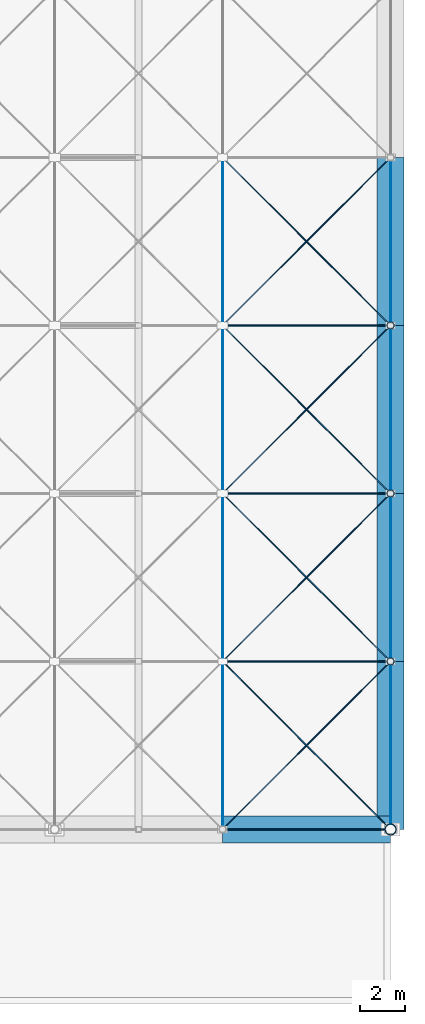
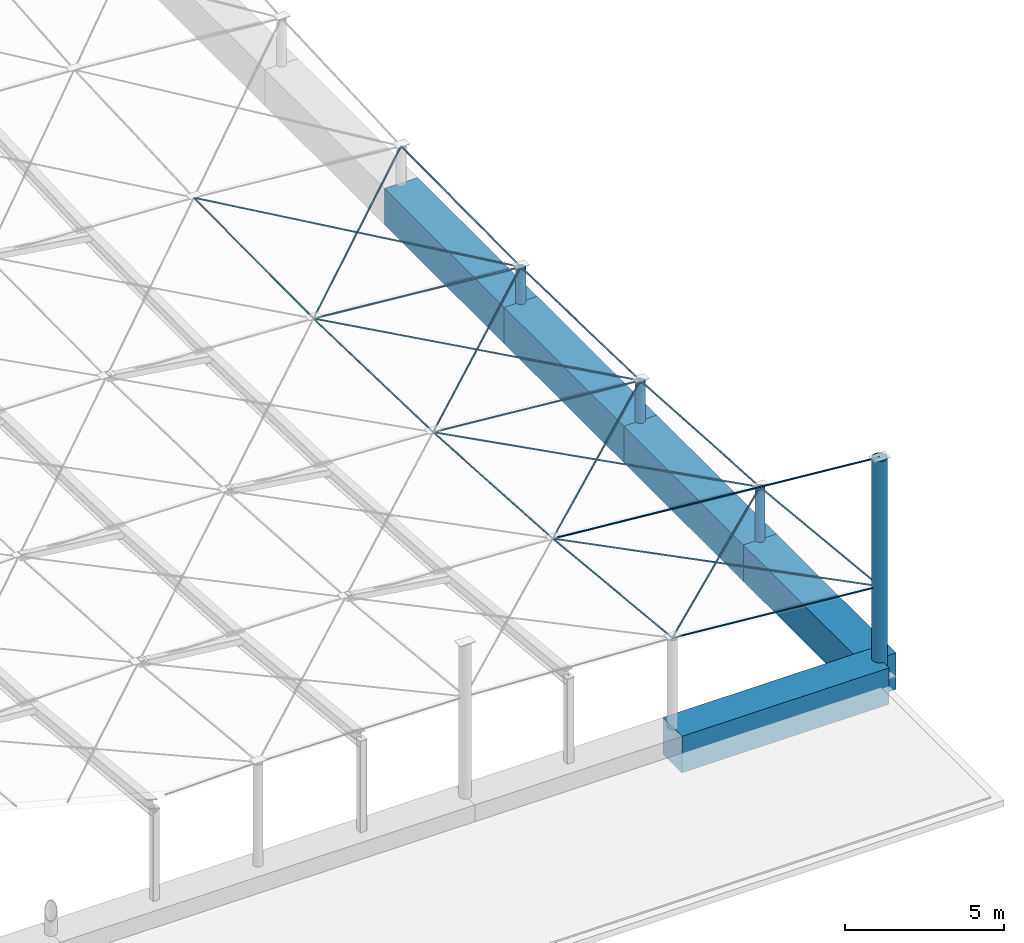
# One storey, part 6 of 17: 25 members, 5 beams.
"""IFC4 building model written with IfcOpenShell, lengths in metres."""

from ifc_helpers import new_model, si_unit, direction, frame, origin, origin_2d, place, context, subcontext, project, spatial, rectangle, circle, hollow_circle, extrude, material, material_profile, profile_set, type_object, element, save


model = new_model("IFC4")

# Units and contexts
model_context = context("Model", 3, precision=1e-05, world=origin(), true_north=direction((0.0, 1.0)))
body_context = subcontext(model_context, "Body", "Model", "MODEL_VIEW")
ifc_project = project(units=[si_unit("LENGTHUNIT", "METRE"), si_unit("AREAUNIT", "SQUARE_METRE"), si_unit("VOLUMEUNIT", "CUBIC_METRE"), si_unit("PLANEANGLEUNIT", "RADIAN"), si_unit("MASSUNIT", "GRAM", prefix="KILO")], contexts=[model_context])

# Site, building, storey
site_placement = place(None, origin())
site = spatial("IfcSite", under=ifc_project, at=site_placement, CompositionType="ELEMENT")
building_placement = place(site_placement, origin())
building = spatial("IfcBuilding", under=site, at=building_placement, Name="Qasida Concert Hall", CompositionType="ELEMENT")
storey_placement = place(building_placement, frame((0.0, 0.0, 25.199951171875)))
storey = spatial("IfcBuildingStorey", under=building, at=storey_placement, Name="RF", CompositionType="ELEMENT", Elevation=25.199951171875)

# Beams
ifc_material_1 = material(Name="Concrete C50/60", Category="concrete")
ifc_material_profile_1 = material_profile(ifc_material_1, rectangle(XDim=1.199951171875, YDim=1.39990234375, at=origin_2d()), Name="RC 1200x1400")
ifc_profile_set_1 = profile_set([ifc_material_profile_1], Name="Concrete C50/60")
beam_type = type_object("IfcBeamType", Name="BM-RB1", PredefinedType="USERDEFINED", material=ifc_profile_set_1)
for number, where, z_axis, x_axis, name in (
    (1, (97.5, 22.5, 0.0), (1.0, 0.0, 0.0), (0.0, 1.0, 0.0), "Ring beam RB-005"),
    (2, (105.0, 22.5, 0.0), (0.0, 1.0, 0.0), (-1.0, 0.0, 0.0), "Ring beam RB-021"),
    (3, (105.0, 30.0, 0.0), (0.0, 1.0, 0.0), (-1.0, 0.0, 0.0), "Ring beam RB-022"),
    (4, (105.0, 37.5, 0.0), (0.0, 1.0, 0.0), (-1.0, 0.0, 0.0), "Ring beam RB-023"),
    (5, (105.0, 45.0, 0.0), (0.0, 1.0, 0.0), (-1.0, 0.0, 0.0), "Ring beam RB-024"),
):
    element("IfcBeam", number, at=place(storey_placement, frame(where, z_axis=z_axis, x_axis=x_axis)), inside=storey, type_object=beam_type, Name=name, ObjectType="GIRDER", PredefinedType="USERDEFINED", context=body_context, shape_type="SweptSolid", body=[
        extrude(rectangle(XDim=1.199951171875, YDim=1.39990234375, at=origin_2d()), origin(), (0.0, 0.0, 1.0), 7.5),
    ])

# Members
ifc_material_2 = material(Name="Steel S460N spiral strand EN 12385", Category="steel")
ifc_material_profile_2 = material_profile(ifc_material_2, circle(Radius=0.031982421875, at=origin_2d()), Name="STRAND D64")
ifc_profile_set_2 = profile_set([ifc_material_profile_2], Name="Steel S460N spiral strand EN 12385")
member_type_1 = type_object("IfcMemberType", Name="MB-CC1", PredefinedType="USERDEFINED", material=ifc_profile_set_2)
member_1_placement = place(storey_placement, frame((97.5, 22.5, 4.111083984375), z_axis=(0.996252625766, 0.0, -0.086491072686), x_axis=(0.0, 1.0, 0.0)))
element("IfcMember", 6, at=member_1_placement, inside=storey, type_object=member_type_1, Name="Roof cable CC-007", ObjectType="TENSION_CABLE", PredefinedType="USERDEFINED", context=body_context, shape_type="SweptSolid", body=[
    extrude(circle(Radius=0.031982421875, at=origin_2d()), origin(), (0.0, 0.0, 1.0), 7.5283203125),
])
member_2_placement = place(storey_placement, frame((97.5, 37.5, 2.885986328125), z_axis=(0.996255419657, 0.0, -0.086458885052), x_axis=(0.0, 1.0, 0.0)))
element("IfcMember", 7, at=member_2_placement, inside=storey, type_object=member_type_1, Name="Roof cable CC-021", ObjectType="TENSION_CABLE", PredefinedType="USERDEFINED", context=body_context, shape_type="SweptSolid", body=[
    extrude(circle(Radius=0.031982421875, at=origin_2d()), origin(), (0.0, 0.0, 1.0), 7.528076171875),
])
member_3_placement = place(storey_placement, frame((105.0, 22.5, 8.400146484375), z_axis=(-0.638692020665, 0.638692020665, -0.429121201384), x_axis=(-0.707106781187, -0.707106781187, 0.0)))
element("IfcMember", 8, at=member_3_placement, inside=storey, type_object=member_type_1, Name="Roof cable guy stay GUY-02", ObjectType="TENSION_CABLE", PredefinedType="USERDEFINED", context=body_context, shape_type="SweptSolid", body=[
    extrude(circle(Radius=0.031982421875, at=origin_2d()), origin(), (0.0, 0.0, 1.0), 11.74267578125),
])
ifc_material_profile_3 = material_profile(ifc_material_2, circle(Radius=0.027099609375, at=origin_2d()), Name="STRAND D54")
ifc_profile_set_3 = profile_set([ifc_material_profile_3], Name="Steel S460N spiral strand EN 12385")
member_type_2 = type_object("IfcMemberType", Name="MB-CC2", PredefinedType="USERDEFINED", material=ifc_profile_set_3)
member_4_placement = place(storey_placement, frame((97.5, 30.0, 3.361083984375), z_axis=(0.996252625766, 0.0, -0.086491072686), x_axis=(0.0, 1.0, 0.0)))
element("IfcMember", 9, at=member_4_placement, inside=storey, type_object=member_type_2, Name="Roof cable CC-014", ObjectType="TENSION_CABLE", PredefinedType="USERDEFINED", context=body_context, shape_type="SweptSolid", body=[
    extrude(circle(Radius=0.027099609375, at=origin_2d()), origin(), (0.0, 0.0, 1.0), 7.5283203125),
])
member_5_placement = place(storey_placement, frame((97.5, 45.0, 2.68603515625), z_axis=(0.996255419657, 0.0, -0.086458885052), x_axis=(0.0, 1.0, 0.0)))
element("IfcMember", 10, at=member_5_placement, inside=storey, type_object=member_type_2, Name="Roof cable CC-028", ObjectType="TENSION_CABLE", PredefinedType="USERDEFINED", context=body_context, shape_type="SweptSolid", body=[
    extrude(circle(Radius=0.027099609375, at=origin_2d()), origin(), (0.0, 0.0, 1.0), 7.528076171875),
])
ifc_material_profile_4 = material_profile(ifc_material_2, circle(Radius=0.02197265625, at=origin_2d()), Name="STRAND D44")
ifc_profile_set_4 = profile_set([ifc_material_profile_4], Name="Steel S460N spiral strand EN 12385")
member_type_3 = type_object("IfcMemberType", Name="MB-SC1", PredefinedType="USERDEFINED", material=ifc_profile_set_4)
member_6_placement = place(storey_placement, frame((97.5, 22.5, 4.111083984375), z_axis=(0.0, 0.99503719021, -0.099503719021), x_axis=(-1.0, 0.0, 0.0)))
element("IfcMember", 11, at=member_6_placement, inside=storey, type_object=member_type_3, Name="Roof cable SC-049", ObjectType="TENSION_CABLE", PredefinedType="USERDEFINED", context=body_context, shape_type="SweptSolid", body=[
    extrude(circle(Radius=0.02197265625, at=origin_2d()), origin(), (0.0, 0.0, 1.0), 7.537353515625),
])
member_7_placement = place(storey_placement, frame((97.5, 30.0, 3.361083984375), z_axis=(0.0, 0.997999637928, -0.063219638522), x_axis=(-1.0, 0.0, 0.0)))
element("IfcMember", 12, at=member_7_placement, inside=storey, type_object=member_type_3, Name="Roof cable SC-050", ObjectType="TENSION_CABLE", PredefinedType="USERDEFINED", context=body_context, shape_type="SweptSolid", body=[
    extrude(circle(Radius=0.02197265625, at=origin_2d()), origin(), (0.0, 0.0, 1.0), 7.51513671875),
])
member_8_placement = place(storey_placement, frame((97.5, 37.5, 2.885986328125), z_axis=(0.0, 0.999644807367, -0.026650686759), x_axis=(-1.0, 0.0, 0.0)))
element("IfcMember", 13, at=member_8_placement, inside=storey, type_object=member_type_3, Name="Roof cable SC-051", ObjectType="TENSION_CABLE", PredefinedType="USERDEFINED", context=body_context, shape_type="SweptSolid", body=[
    extrude(circle(Radius=0.02197265625, at=origin_2d()), origin(), (0.0, 0.0, 1.0), 7.502685546875),
])
member_9_placement = place(storey_placement, frame((97.5, 45.0, 2.68603515625), z_axis=(0.0, 0.999950068823, 0.009992990597), x_axis=(-1.0, 0.0, 0.0)))
element("IfcMember", 14, at=member_9_placement, inside=storey, type_object=member_type_3, Name="Roof cable SC-052", ObjectType="TENSION_CABLE", PredefinedType="USERDEFINED", context=body_context, shape_type="SweptSolid", body=[
    extrude(circle(Radius=0.02197265625, at=origin_2d()), origin(), (0.0, 0.0, 1.0), 7.50048828125),
])
member_10_placement = place(storey_placement, frame((105.0, 22.5, 3.4599609375), z_axis=(0.0, 0.99503719021, -0.099503719021), x_axis=(-1.0, 0.0, 0.0)))
element("IfcMember", 15, at=member_10_placement, inside=storey, type_object=member_type_3, Name="Roof cable SC-057", ObjectType="TENSION_CABLE", PredefinedType="USERDEFINED", context=body_context, shape_type="SweptSolid", body=[
    extrude(circle(Radius=0.02197265625, at=origin_2d()), origin(), (0.0, 0.0, 1.0), 7.537353515625),
])
member_11_placement = place(storey_placement, frame((105.0, 30.0, 2.7099609375), z_axis=(0.0, 0.998001687114, -0.063187281297), x_axis=(-1.0, 0.0, 0.0)))
element("IfcMember", 16, at=member_11_placement, inside=storey, type_object=member_type_3, Name="Roof cable SC-058", ObjectType="TENSION_CABLE", PredefinedType="USERDEFINED", context=body_context, shape_type="SweptSolid", body=[
    extrude(circle(Radius=0.02197265625, at=origin_2d()), origin(), (0.0, 0.0, 1.0), 7.51513671875),
])
member_12_placement = place(storey_placement, frame((105.0, 37.5, 2.235107421875), z_axis=(0.0, 0.999644807367, -0.026650686759), x_axis=(-1.0, 0.0, 0.0)))
element("IfcMember", 17, at=member_12_placement, inside=storey, type_object=member_type_3, Name="Roof cable SC-059", ObjectType="TENSION_CABLE", PredefinedType="USERDEFINED", context=body_context, shape_type="SweptSolid", body=[
    extrude(circle(Radius=0.02197265625, at=origin_2d()), origin(), (0.0, 0.0, 1.0), 7.502685546875),
])
member_13_placement = place(storey_placement, frame((105.0, 45.0, 2.03515625), z_axis=(0.0, 0.999950068823, 0.009992990597), x_axis=(-1.0, 0.0, 0.0)))
element("IfcMember", 18, at=member_13_placement, inside=storey, type_object=member_type_3, Name="Roof cable SC-060", ObjectType="TENSION_CABLE", PredefinedType="USERDEFINED", context=body_context, shape_type="SweptSolid", body=[
    extrude(circle(Radius=0.02197265625, at=origin_2d()), origin(), (0.0, 0.0, 1.0), 7.50048828125),
])
member_14_placement = place(storey_placement, frame((97.5, 22.5, 4.111083984375), z_axis=(0.701016797775, 0.701016797775, -0.130961438881), x_axis=(-0.707106781187, 0.707106781187, 0.0)))
element("IfcMember", 19, at=member_14_placement, inside=storey, type_object=member_type_3, Name="Roof cable diagonal DC-097", ObjectType="TENSION_CABLE", PredefinedType="USERDEFINED", context=body_context, shape_type="SweptSolid", body=[
    extrude(circle(Radius=0.02197265625, at=origin_2d()), origin(), (0.0, 0.0, 1.0), 10.69873046875),
])
member_15_placement = place(storey_placement, frame((97.5, 30.0, 3.361083984375), z_axis=(0.707076058136, -0.707076058136, 0.009321803501), x_axis=(0.707106781187, 0.707106781187, 0.0)))
element("IfcMember", 20, at=member_15_placement, inside=storey, type_object=member_type_3, Name="Roof cable diagonal DC-098", ObjectType="TENSION_CABLE", PredefinedType="USERDEFINED", context=body_context, shape_type="SweptSolid", body=[
    extrude(circle(Radius=0.02197265625, at=origin_2d()), origin(), (0.0, 0.0, 1.0), 10.607177734375),
])
member_16_placement = place(storey_placement, frame((97.5, 30.0, 3.361083984375), z_axis=(0.703155760656, 0.703155760656, -0.105564920838), x_axis=(-0.707106781187, 0.707106781187, 0.0)))
element("IfcMember", 21, at=member_16_placement, inside=storey, type_object=member_type_3, Name="Roof cable diagonal DC-099", ObjectType="TENSION_CABLE", PredefinedType="USERDEFINED", context=body_context, shape_type="SweptSolid", body=[
    extrude(circle(Radius=0.02197265625, at=origin_2d()), origin(), (0.0, 0.0, 1.0), 10.666259765625),
])
member_17_placement = place(storey_placement, frame((97.5, 37.5, 2.885986328125), z_axis=(0.70700942503, -0.70700942503, -0.016593548029), x_axis=(0.707106781187, 0.707106781187, 0.0)))
element("IfcMember", 22, at=member_17_placement, inside=storey, type_object=member_type_3, Name="Roof cable diagonal DC-100", ObjectType="TENSION_CABLE", PredefinedType="USERDEFINED", context=body_context, shape_type="SweptSolid", body=[
    extrude(circle(Radius=0.02197265625, at=origin_2d()), origin(), (0.0, 0.0, 1.0), 10.608154296875),
])
member_18_placement = place(storey_placement, frame((97.5, 37.5, 2.885986328125), z_axis=(0.704842666771, 0.704842666771, -0.079960178831), x_axis=(-0.707106781187, 0.707106781187, 0.0)))
element("IfcMember", 23, at=member_18_placement, inside=storey, type_object=member_type_3, Name="Roof cable diagonal DC-101", ObjectType="TENSION_CABLE", PredefinedType="USERDEFINED", context=body_context, shape_type="SweptSolid", body=[
    extrude(circle(Radius=0.02197265625, at=origin_2d()), origin(), (0.0, 0.0, 1.0), 10.640625),
])
member_19_placement = place(storey_placement, frame((97.5, 45.0, 2.68603515625), z_axis=(0.706468623288, -0.706468623288, -0.042475506094), x_axis=(0.707106781187, 0.707106781187, 0.0)))
element("IfcMember", 24, at=member_19_placement, inside=storey, type_object=member_type_3, Name="Roof cable diagonal DC-102", ObjectType="TENSION_CABLE", PredefinedType="USERDEFINED", context=body_context, shape_type="SweptSolid", body=[
    extrude(circle(Radius=0.02197265625, at=origin_2d()), origin(), (0.0, 0.0, 1.0), 10.6162109375),
])
member_20_placement = place(storey_placement, frame((97.5, 45.0, 2.68603515625), z_axis=(0.706066670841, 0.706066670841, -0.054219117074), x_axis=(-0.707106781187, 0.707106781187, 0.0)))
element("IfcMember", 25, at=member_20_placement, inside=storey, type_object=member_type_3, Name="Roof cable diagonal DC-103", ObjectType="TENSION_CABLE", PredefinedType="USERDEFINED", context=body_context, shape_type="SweptSolid", body=[
    extrude(circle(Radius=0.02197265625, at=origin_2d()), origin(), (0.0, 0.0, 1.0), 10.622314453125),
])
member_21_placement = place(storey_placement, frame((97.5, 52.5, 2.760986328125), z_axis=(0.705456908839, -0.705456908839, -0.068272245768), x_axis=(0.707106781187, 0.707106781187, 0.0)))
element("IfcMember", 26, at=member_21_placement, inside=storey, type_object=member_type_3, Name="Roof cable diagonal DC-104", ObjectType="TENSION_CABLE", PredefinedType="USERDEFINED", context=body_context, shape_type="SweptSolid", body=[
    extrude(circle(Radius=0.02197265625, at=origin_2d()), origin(), (0.0, 0.0, 1.0), 10.63134765625),
])
ifc_material_3 = material(Name="Steel S355J2", Category="steel")
ifc_material_profile_5 = material_profile(ifc_material_3, hollow_circle(Radius=0.25390625, WallThickness=0.02490234375, at=origin_2d()), Name="CHS 508x25")
ifc_profile_set_5 = profile_set([ifc_material_profile_5], Name="Steel S355J2")
member_type_4 = type_object("IfcMemberType", Name="MB-ST1", PredefinedType="STRUT", material=ifc_profile_set_5)
member_22_placement = place(storey_placement, frame((105.0, 22.5, 0.0), z_axis=(0.0, 0.0, 1.0), x_axis=(1.0, 0.0, 0.0)))
element("IfcMember", 27, at=member_22_placement, inside=storey, type_object=member_type_4, Name="Cable-net mast MS-02", PredefinedType="STRUT", context=body_context, shape_type="SweptSolid", body=[
    extrude(hollow_circle(Radius=0.25390625, WallThickness=0.02490234375, at=origin_2d()), origin(), (0.0, 0.0, 1.0), 8.400146484375),
])
ifc_material_profile_6 = material_profile(ifc_material_3, hollow_circle(Radius=0.161865234375, WallThickness=0.01611328125, at=origin_2d()), Name="CHS 323.9x16")
ifc_profile_set_6 = profile_set([ifc_material_profile_6], Name="Steel S355J2")
member_type_5 = type_object("IfcMemberType", Name="MB-ST3", PredefinedType="STRUT", material=ifc_profile_set_6)
member_23_placement = place(storey_placement, frame((105.0, 30.0, 0.0), z_axis=(0.0, 0.0, 1.0), x_axis=(1.0, 0.0, 0.0)))
element("IfcMember", 28, at=member_23_placement, inside=storey, type_object=member_type_5, Name="Roof ring-beam edge strut EST-016", PredefinedType="STRUT", context=body_context, shape_type="SweptSolid", body=[
    extrude(hollow_circle(Radius=0.161865234375, WallThickness=0.01611328125, at=origin_2d()), origin(), (0.0, 0.0, 1.0), 2.7099609375),
])
member_24_placement = place(storey_placement, frame((105.0, 37.5, 0.0), z_axis=(0.0, 0.0, 1.0), x_axis=(1.0, 0.0, 0.0)))
element("IfcMember", 29, at=member_24_placement, inside=storey, type_object=member_type_5, Name="Roof ring-beam edge strut EST-017", PredefinedType="STRUT", context=body_context, shape_type="SweptSolid", body=[
    extrude(hollow_circle(Radius=0.161865234375, WallThickness=0.01611328125, at=origin_2d()), origin(), (0.0, 0.0, 1.0), 2.235107421875),
])
member_25_placement = place(storey_placement, frame((105.0, 45.0, 0.0), z_axis=(0.0, 0.0, 1.0), x_axis=(1.0, 0.0, 0.0)))
element("IfcMember", 30, at=member_25_placement, inside=storey, type_object=member_type_5, Name="Roof ring-beam edge strut EST-018", PredefinedType="STRUT", context=body_context, shape_type="SweptSolid", body=[
    extrude(hollow_circle(Radius=0.161865234375, WallThickness=0.01611328125, at=origin_2d()), origin(), (0.0, 0.0, 1.0), 2.03515625),
])

save(model, "model.ifc")
